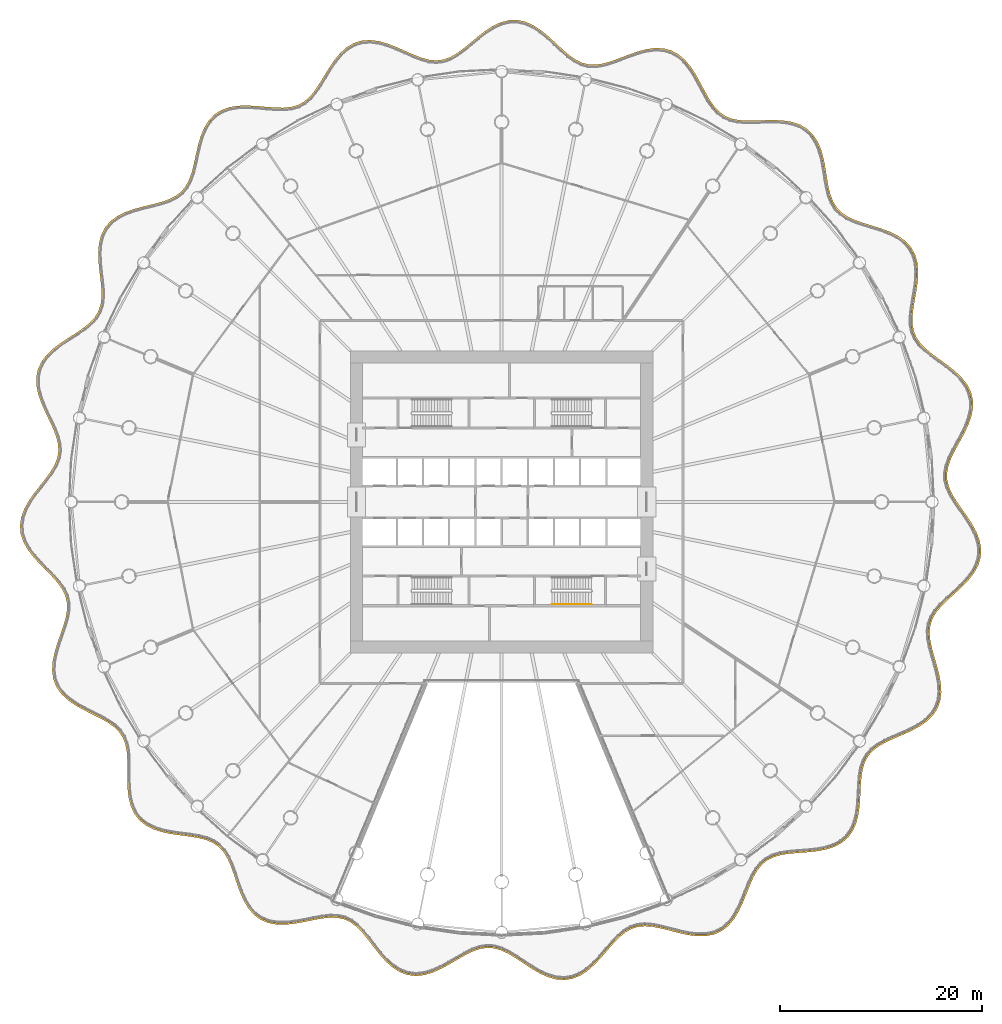
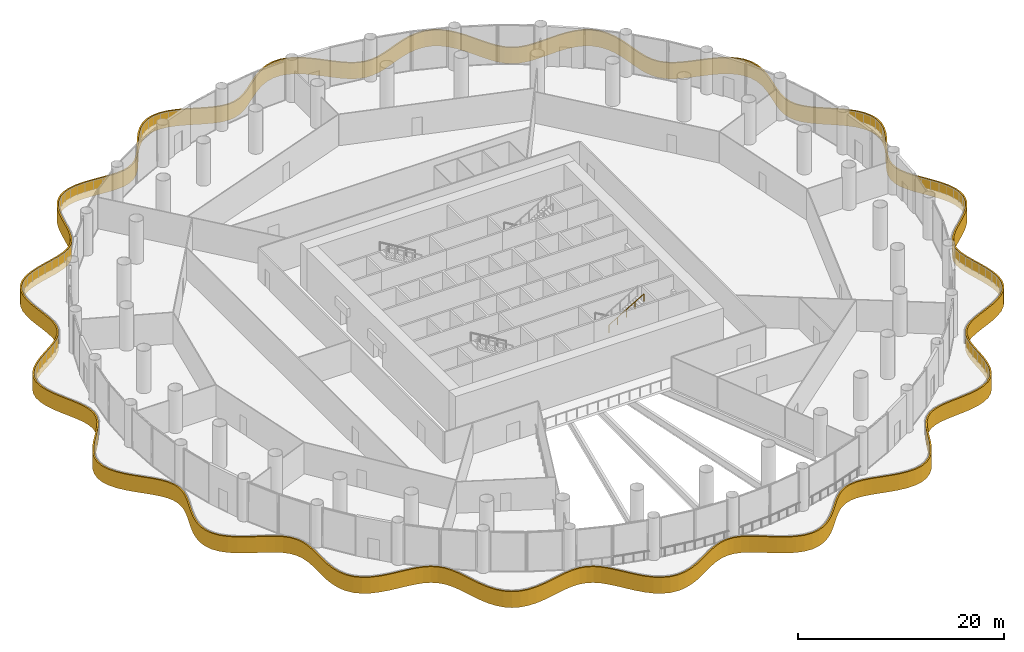
# One storey, part 32 of 36: 1 covering, 1 railing.
"""IFC4 building model written with IfcOpenShell, lengths in metres."""

from ifc_helpers import new_model, si_unit, direction, frame, origin, origin_2d, place, context, subcontext, project, spatial, polyline, circle, outline, extrude, material, layer, layer_set, type_object, element, save


model = new_model("IFC4")

# Units and contexts
model_context = context("Model", 3, precision=1e-05, world=origin(), true_north=direction((0.0, 1.0)))
body_context = subcontext(model_context, "Body", "Model", "MODEL_VIEW")
ifc_project = project(units=[si_unit("LENGTHUNIT", "METRE"), si_unit("AREAUNIT", "SQUARE_METRE"), si_unit("VOLUMEUNIT", "CUBIC_METRE"), si_unit("PLANEANGLEUNIT", "RADIAN"), si_unit("MASSUNIT", "GRAM", prefix="KILO")], contexts=[model_context])

# Site, building, storey
site_placement = place(None, origin())
site = spatial("IfcSite", under=ifc_project, at=site_placement, CompositionType="ELEMENT")
building_placement = place(site_placement, origin())
building = spatial("IfcBuilding", under=site, at=building_placement, Name="Corvane Civic Tower", CompositionType="ELEMENT")
storey_placement = place(building_placement, frame((0.0, 0.0, 17.0)))
storey = spatial("IfcBuildingStorey", under=building, at=storey_placement, Name="L03", CompositionType="ELEMENT", Elevation=17.0)

# Covering
ifc_material_1 = material(Name="Anodised aluminium rose bronze", Category="aluminium")
ifc_layer = layer(ifc_material_1, 0.159912109375)
ifc_layer_set = layer_set([ifc_layer], Name="Anodised aluminium rose bronze")
covering_type = type_object("IfcCoveringType", Name="PODIUM-COV-FASCIA-L03", PredefinedType="CLADDING", material=ifc_layer_set)
covering_placement = place(storey_placement, frame((0.0, 0.0, -0.800048828125)))
element("IfcCovering", 1, at=covering_placement, inside=storey, type_object=covering_type, Name="L03 ribbon fascia", PredefinedType="CLADDING", context=body_context, shape_type="SweptSolid", body=[
    extrude(outline(polyline([(0.7587890625, 47.812744140625), (-0.053466796875, 47.6103515625), (-0.847900390625, 47.2431640625), (-1.618408203125, 46.748779296875), (-2.3623046875, 46.175048828125), (-3.0810546875, 45.57470703125), (-3.777587890625, 45.00146484375), (-4.456787109375, 44.50634765625), (-5.126220703125, 44.12890625), (-5.794921875, 43.894775390625), (-6.477294921875, 43.812255859375), (-7.18994140625, 43.87890625), (-7.943115234375, 44.079345703125), (-8.738037109375, 44.38525390625), (-9.5693359375, 44.753662109375), (-10.427978515625, 45.13427734375), (-11.301513671875, 45.47412109375), (-12.1767578125, 45.722412109375), (-13.0380859375, 45.8359375), (-13.86865234375, 45.781494140625), (-14.650390625, 45.542236328125), (-15.367431640625, 45.122802734375), (-16.014404296875, 44.54638671875), (-16.59521484375, 43.8486328125), (-17.121826171875, 43.07421875), (-17.612060546875, 42.272216796875), (-18.085205078125, 41.493408203125), (-18.563720703125, 40.7841796875), (-19.06640625, 40.18359375), (-19.611572265625, 39.715576171875), (-20.2158203125, 39.386962890625), (-20.89453125, 39.19189453125), (-21.6552734375, 39.115234375), (-22.4921875, 39.131103515625), (-23.38818359375, 39.203125), (-24.320068359375, 39.287841796875), (-25.2587890625, 39.33837890625), (-26.17578125, 39.31103515625), (-27.041259765625, 39.1669921875), (-27.828857421875, 38.878662109375), (-28.5146484375, 38.431884765625), (-29.082275390625, 37.83203125), (-29.530517578125, 37.100830078125), (-29.872802734375, 36.26904296875), (-30.13330078125, 35.37353515625), (-30.342529296875, 34.45556640625), (-30.5361328125, 33.555908203125), (-30.74951171875, 32.713623046875), (-31.015380859375, 31.96044921875), (-31.360107421875, 31.316650390625), (-31.802490234375, 30.78662109375), (-32.3564453125, 30.361572265625), (-33.02734375, 30.025390625), (-33.80419921875, 29.7578125), (-34.662353515625, 29.530517578125), (-35.56640625, 29.31103515625), (-36.475341796875, 29.06396484375), (-37.3466796875, 28.756591796875), (-38.14013671875, 28.361328125), (-38.8193359375, 27.85693359375), (-39.35546875, 27.236083984375), (-39.73193359375, 26.50537109375), (-39.949951171875, 25.68408203125), (-40.02880859375, 24.796875), (-40.001708984375, 23.8701171875), (-39.909423828125, 22.9326171875), (-39.798583984375, 22.011962890625), (-39.71533203125, 21.134033203125), (-39.702880859375, 20.320068359375), (-39.79443359375, 19.58251953125), (-40.0126953125, 18.92236328125), (-40.36865234375, 18.32861328125), (-40.865478515625, 17.784423828125), (-41.48974609375, 17.27392578125), (-42.212158203125, 16.77978515625), (-42.990478515625, 16.281494140625), (-43.77490234375, 15.760009765625), (-44.51513671875, 15.197265625), (-45.162109375, 14.57861328125), (-45.673828125, 13.895263671875), (-46.017822265625, 13.146728515625), (-46.17578125, 12.343017578125), (-46.151611328125, 11.501220703125), (-45.96728515625, 10.638671875), (-45.660888671875, 9.7705078125), (-45.27880859375, 8.91015625), (-44.872802734375, 8.0703125), (-44.49658203125, 7.259521484375), (-44.198486328125, 6.4853515625), (-44.017578125, 5.750244140625), (-43.977783203125, 5.04931640625), (-44.089599609375, 4.36962890625), (-44.352294921875, 3.694580078125), (-44.751708984375, 3.01171875), (-45.25732421875, 2.313720703125), (-45.824951171875, 1.5947265625), (-46.40283203125, 0.852294921875), (-46.93603515625, 0.084716796875), (-47.373291015625, -0.7060546875), (-47.669921875, -1.515625), (-47.7919921875, -2.3349609375), (-47.72119140625, -3.149658203125), (-47.4619140625, -3.94384765625), (-47.0380859375, -4.707275390625), (-46.487060546875, -5.435791015625), (-45.856689453125, -6.131591796875), (-45.19873046875, -6.7998046875), (-44.5673828125, -7.447021484375), (-44.0126953125, -8.08349609375), (-43.574462890625, -8.718994140625), (-43.277587890625, -9.365234375), (-43.13134765625, -10.036865234375), (-43.131103515625, -10.75), (-43.262939453125, -11.514404296875), (-43.49755859375, -12.329345703125), (-43.794189453125, -13.1865234375), (-44.103515625, -14.072509765625), (-44.373291015625, -14.970947265625), (-44.5546875, -15.864501953125), (-44.6044921875, -16.73388671875), (-44.49072265625, -17.559814453125), (-44.197509765625, -18.322998046875), (-43.72900390625, -19.007568359375), (-43.10791015625, -19.608642578125), (-42.36962890625, -20.133544921875), (-41.55712890625, -20.597412109375), (-40.717529296875, -21.02099609375), (-39.8994140625, -21.428466796875), (-39.14892578125, -21.84521484375), (-38.502685546875, -22.294677734375), (-37.98388671875, -22.796142578125), (-37.599853515625, -23.3671875), (-37.3427734375, -24.022705078125), (-37.1982421875, -24.76953125), (-37.14111328125, -25.600830078125), (-37.137451171875, -26.497314453125), (-37.1455078125, -27.431640625), (-37.12109375, -28.372314453125), (-37.02294921875, -29.28564453125), (-36.814697265625, -30.140625), (-36.4697265625, -30.906982421875), (-35.97607421875, -31.559814453125), (-35.33837890625, -32.0830078125), (-34.578369140625, -32.476318359375), (-33.72509765625, -32.75390625), (-32.8134765625, -32.943359375), (-31.881103515625, -33.077880859375), (-30.966552734375, -33.1962890625), (-30.105712890625, -33.337158203125), (-29.328369140625, -33.536376953125), (-28.652587890625, -33.8212890625), (-28.08251953125, -34.21240234375), (-27.6083984375, -34.722900390625), (-27.21435546875, -35.357177734375), (-26.881103515625, -36.10400390625), (-26.58251953125, -36.937255859375), (-26.28955078125, -37.818603515625), (-25.970703125, -38.705078125), (-25.59619140625, -39.551513671875), (-25.141357421875, -40.314697265625), (-24.588134765625, -40.957275390625), (-23.9306640625, -41.448974609375), (-23.17578125, -41.772705078125), (-22.343017578125, -41.930419921875), (-21.45458984375, -41.942626953125), (-20.5341796875, -41.84375), (-19.607177734375, -41.677001953125), (-18.697021484375, -41.489990234375), (-17.826416015625, -41.33154296875), (-17.01318359375, -41.246826171875), (-16.2666015625, -41.27099609375), (-15.587646484375, -41.426513671875), (-14.9638671875, -41.724609375), (-14.37890625, -42.167236328125), (-13.818115234375, -42.7412109375), (-13.265380859375, -43.416259765625), (-12.705810546875, -44.148681640625), (-12.123291015625, -44.888671875), (-11.50341796875, -45.583740234375), (-10.836181640625, -46.18359375), (-10.115478515625, -46.6455078125), (-9.34375, -46.936279296875), (-8.531494140625, -47.03759765625), (-7.695068359375, -46.952880859375), (-6.8505859375, -46.705810546875), (-6.010498046875, -46.333984375), (-5.183837890625, -45.884521484375), (-4.378662109375, -45.41064453125), (-3.600341796875, -44.9658203125), (-2.85205078125, -44.599609375), (-2.1328125, -44.351318359375), (-1.4365234375, -44.245849609375), (-0.75, -44.293212890625), (-0.056396484375, -44.4912109375), (0.65576171875, -44.82666015625), (1.39208984375, -45.268310546875), (2.154296875, -45.772705078125), (2.940673828125, -46.2880859375), (3.748779296875, -46.760009765625), (4.572021484375, -47.136962890625), (5.4033203125, -47.3740234375), (6.230712890625, -47.4375), (7.0380859375, -47.310302734375), (7.810302734375, -46.99560546875), (8.538330078125, -46.517578125), (9.22119140625, -45.913818359375), (9.86474609375, -45.23095703125), (10.477294921875, -44.52001953125), (11.071044921875, -43.83447265625), (11.659423828125, -43.22412109375), (12.255859375, -42.727783203125), (12.873779296875, -42.371337890625), (13.528564453125, -42.162109375), (14.236083984375, -42.095947265625), (15.005615234375, -42.15771484375), (15.834228515625, -42.3203125), (16.710693359375, -42.543212890625), (17.617919921875, -42.77880859375), (18.535888671875, -42.97705078125), (19.442626953125, -43.089599609375), (20.3154296875, -43.0751953125), (21.1328125, -42.902587890625), (21.87353515625, -42.556396484375), (22.522216796875, -42.041259765625), (23.074951171875, -41.379638671875), (23.541259765625, -40.605712890625), (23.939208984375, -39.760009765625), (24.293701171875, -38.88818359375), (24.63232421875, -38.037109375), (24.984130859375, -37.250244140625), (25.3759765625, -36.56298828125), (25.8291015625, -35.997802734375), (26.36181640625, -35.561279296875), (26.988525390625, -35.2451171875), (27.7158203125, -35.0341796875), (28.53515625, -34.9052734375), (29.42529296875, -34.825927734375), (30.35595703125, -34.75732421875), (31.2919921875, -34.658203125), (32.197021484375, -34.489501953125), (33.0361328125, -34.2177734375), (33.77734375, -33.81787109375), (34.394287109375, -33.279296875), (34.87060546875, -32.607177734375), (35.206787109375, -31.822265625), (35.418701171875, -30.952392578125), (35.536376953125, -30.0302734375), (35.59521484375, -29.090087890625), (35.637451171875, -28.1669921875), (35.70458984375, -27.294189453125), (35.83447265625, -26.498291015625), (36.05712890625, -25.796142578125), (36.393310546875, -25.190673828125), (36.856201171875, -24.671875), (37.44921875, -24.2236328125), (38.160400390625, -23.827392578125), (38.962158203125, -23.460693359375), (39.81494140625, -23.096435546875), (40.673095703125, -22.70751953125), (41.489013671875, -22.267578125), (42.218017578125, -21.755615234375), (42.8203125, -21.156005859375), (43.264892578125, -20.46484375), (43.53466796875, -19.68994140625), (43.631591796875, -18.849853515625), (43.57763671875, -17.965087890625), (43.407958984375, -17.056640625), (43.167236328125, -16.14599609375), (42.905517578125, -15.253173828125), (42.673095703125, -14.396484375), (42.5166015625, -13.589599609375), (42.47216796875, -12.8408203125), (42.563232421875, -12.148193359375), (42.801025390625, -11.500244140625), (43.186279296875, -10.8798828125), (43.705810546875, -10.273193359375), (44.32861328125, -9.6669921875), (45.0107421875, -9.049560546875), (45.701171875, -8.4091796875), (46.34619140625, -7.736328125), (46.8955078125, -7.023681640625), (47.3046875, -6.27001953125), (47.540283203125, -5.478271484375), (47.584228515625, -4.661376953125), (47.440185546875, -3.8349609375), (47.132080078125, -3.01318359375), (46.697509765625, -2.20556640625), (46.18408203125, -1.417724609375), (45.64501953125, -0.6533203125), (45.134521484375, 0.0869140625), (44.702392578125, 0.8037109375), (44.388671875, 1.500732421875), (44.218017578125, 2.186279296875), (44.200439453125, 2.87353515625), (44.333251953125, 3.579833984375), (44.601806640625, 4.315673828125), (44.976806640625, 5.084228515625), (45.414794921875, 5.8837890625), (45.8642578125, 6.708984375), (46.271484375, 7.552490234375), (46.58544921875, 8.404296875), (46.76123046875, 9.252685546875), (46.76611328125, 10.083740234375), (46.58203125, 10.88037109375), (46.214111328125, 11.626708984375), (45.685302734375, 12.31591796875), (45.032470703125, 12.949462890625), (44.301513671875, 13.536376953125), (43.54248046875, 14.089599609375), (42.8076171875, 14.625), (42.1455078125, 15.160400390625), (41.59521484375, 15.712646484375), (41.18115234375, 16.296630859375), (40.911376953125, 16.92919921875), (40.780029296875, 17.625), (40.772216796875, 18.393310546875), (40.861083984375, 19.229248046875), (41.00927734375, 20.118896484375), (41.169921875, 21.04150390625), (41.294921875, 21.972900390625), (41.337646484375, 22.88720703125), (41.258544921875, 23.759033203125), (41.027587890625, 24.563720703125), (40.630126953125, 25.278564453125), (40.0712890625, 25.88818359375), (39.372802734375, 26.3896484375), (38.5673828125, 26.795166015625), (37.694091796875, 27.125), (36.79638671875, 27.40771484375), (35.91796875, 27.6748046875), (35.100341796875, 27.958984375), (34.37744140625, 28.289306640625), (33.770751953125, 28.690185546875), (33.284912109375, 29.1796875), (32.912841796875, 29.772705078125), (32.637939453125, 30.474609375), (32.438720703125, 31.275634765625), (32.284423828125, 32.153076171875), (32.139892578125, 33.073486328125), (31.96630859375, 33.9990234375), (31.727783203125, 34.889892578125), (31.393310546875, 35.70849609375), (30.9404296875, 36.420654296875), (30.359375, 36.998779296875), (29.65625, 37.42578125), (28.850830078125, 37.70361328125), (27.969970703125, 37.849365234375), (27.04248046875, 37.894287109375), (26.1005859375, 37.877685546875), (25.175537109375, 37.84326171875), (24.296875, 37.835205078125), (23.48876953125, 37.89453125), (22.76611328125, 38.052734375), (22.130615234375, 38.3310546875), (21.57177734375, 38.7421875), (21.073486328125, 39.289306640625), (20.617919921875, 39.95947265625), (20.185546875, 40.72412109375), (19.7529296875, 41.542724609375), (19.29638671875, 42.366943359375), (18.793701171875, 43.1474609375), (18.226806640625, 43.83740234375), (17.583984375, 44.39599609375), (16.8623046875, 44.791259765625), (16.071044921875, 45.005615234375), (15.227783203125, 45.041748046875), (14.3515625, 44.92236328125), (13.460693359375, 44.68310546875), (12.572509765625, 44.370849609375), (11.703125, 44.035888671875), (10.8662109375, 43.730712890625), (10.07275390625, 43.502685546875), (9.32763671875, 43.3896484375), (8.6279296875, 43.41552734375), (7.9609375, 43.59130859375), (7.310791015625, 43.91650390625), (6.662841796875, 44.377197265625), (6.008056640625, 44.943359375), (5.337646484375, 45.570556640625), (4.643798828125, 46.206787109375), (3.92138671875, 46.7978515625), (3.16796875, 47.292724609375), (2.384033203125, 47.646728515625), (1.57666015625, 47.826171875), (0.7587890625, 47.812744140625)]), holes=[polyline([(-0.770751953125, 47.1025390625), (0.0, 47.458740234375), (0.77978515625, 47.653076171875), (1.560302734375, 47.665771484375), (2.333251953125, 47.494140625), (3.090576171875, 47.152099609375), (3.82666015625, 46.668701171875), (4.5390625, 46.085693359375), (5.22900390625, 45.453125), (5.901123046875, 44.824462890625), (6.56396484375, 44.251220703125), (7.22802734375, 43.77880859375), (7.904296875, 43.440673828125), (8.604248046875, 43.25634765625), (9.336669921875, 43.229248046875), (10.10693359375, 43.345947265625), (10.915771484375, 43.578369140625), (11.75927734375, 43.885986328125), (12.6279296875, 44.220703125), (13.508056640625, 44.5302734375), (14.38330078125, 44.76513671875), (15.235107421875, 44.88134765625), (16.04638671875, 44.846435546875), (16.802001953125, 44.641845703125), (17.491943359375, 44.263916015625), (18.111572265625, 43.725341796875), (18.6640625, 43.052978515625), (19.158935546875, 42.28466796875), (19.6123046875, 41.466552734375), (20.045166015625, 40.6474609375), (20.48193359375, 39.875), (20.947509765625, 39.18994140625), (21.464111328125, 38.622802734375), (22.050048828125, 38.191650390625), (22.71630859375, 37.89990234375), (23.465576171875, 37.73583984375), (24.291748046875, 37.67529296875), (25.17919921875, 37.683349609375), (26.10498046875, 37.7177734375), (27.0400390625, 37.734375), (27.952880859375, 37.68994140625), (28.8115234375, 37.5478515625), (29.587890625, 37.2802734375), (30.260009765625, 36.871826171875), (30.81494140625, 36.31982421875), (31.250732421875, 35.634765625), (31.575927734375, 34.8388671875), (31.810302734375, 33.963623046875), (31.982177734375, 33.04638671875), (32.126708984375, 32.126708984375), (32.281982421875, 31.242431640625), (32.485107421875, 30.42578125), (32.769287109375, 29.700439453125), (33.158935546875, 29.07958984375), (33.668701171875, 28.565673828125), (34.299560546875, 28.14892578125), (35.040771484375, 27.810302734375), (35.868408203125, 27.522705078125), (36.7490234375, 27.2548828125), (37.641845703125, 26.973876953125), (38.5029296875, 26.6484375), (39.289794921875, 26.25244140625), (39.964599609375, 25.767822265625), (40.49951171875, 25.184326171875), (40.87890625, 24.501953125), (41.1005859375, 23.7294921875), (41.17724609375, 22.8837890625), (41.13525390625, 21.9873046875), (41.01171875, 21.06591796875), (40.8515625, 20.145751953125), (40.70263671875, 19.2509765625), (40.612060546875, 18.401123046875), (40.6201171875, 17.609375), (40.75732421875, 16.88232421875), (41.040771484375, 16.218017578125), (41.472412109375, 15.609130859375), (42.038330078125, 15.04150390625), (42.710205078125, 14.498046875), (43.4482421875, 13.960205078125), (44.2041015625, 13.4091796875), (44.926513671875, 12.829345703125), (45.5654296875, 12.209228515625), (46.07763671875, 11.541748046875), (46.430419921875, 10.826171875), (46.60595703125, 10.06591796875), (46.601318359375, 9.26953125), (46.43115234375, 8.448486328125), (46.1240234375, 7.615234375), (45.721923828125, 6.7822265625), (45.2744140625, 5.96044921875), (44.834716796875, 5.15771484375), (44.454345703125, 4.37841796875), (44.178466796875, 3.622314453125), (44.0400390625, 2.886474609375), (44.05859375, 2.16455078125), (44.23681640625, 1.4482421875), (44.560302734375, 0.729248046875), (45.0, 0.0), (45.513916015625, -0.744873046875), (46.0517578125, -1.507568359375), (46.559814453125, -2.287353515625), (46.986083984375, -3.07958984375), (47.28515625, -3.877197265625), (47.423583984375, -4.6708984375), (47.381591796875, -5.45068359375), (47.156005859375, -6.208251953125), (46.760986328125, -6.936279296875), (46.224853515625, -7.6318359375), (45.5888671875, -8.295166015625), (44.902587890625, -8.931640625), (44.218994140625, -9.55029296875), (43.5888671875, -10.16357421875), (43.056884765625, -10.78515625), (42.656494140625, -11.4296875), (42.406982421875, -12.10986328125), (42.3115234375, -12.8349609375), (42.357421875, -13.609619140625), (42.51708984375, -14.4326171875), (42.75146484375, -15.296630859375), (43.01318359375, -16.18896484375), (43.251708984375, -17.091796875), (43.41845703125, -17.984619140625), (43.470947265625, -18.845458984375), (43.377685546875, -19.654052734375), (43.1201171875, -20.394287109375), (42.695068359375, -21.054931640625), (42.11474609375, -21.632568359375), (41.40478515625, -22.13134765625), (40.60205078125, -22.56396484375), (39.75048828125, -22.949951171875), (38.8974609375, -23.314208984375), (38.088134765625, -23.6845703125), (37.361572265625, -24.08935546875), (36.747314453125, -24.5537109375), (36.26220703125, -25.097412109375), (35.909423828125, -25.732421875), (35.678466796875, -26.4609375), (35.545654296875, -27.275146484375), (35.477783203125, -28.1572265625), (35.435546875, -29.081298828125), (35.376953125, -30.01513671875), (35.26123046875, -30.92333984375), (35.054443359375, -31.771484375), (34.730224609375, -32.528564453125), (34.27490234375, -33.171142578125), (33.685546875, -33.685546875), (32.972900390625, -34.070068359375), (32.157470703125, -34.334228515625), (31.268798828125, -34.499755859375), (30.341552734375, -34.597900390625), (29.412353515625, -34.66650390625), (28.515625, -34.746337890625), (27.680908203125, -34.877685546875), (26.9296875, -35.095703125), (26.27392578125, -35.42626953125), (25.714599609375, -35.884765625), (25.2431640625, -36.47265625), (24.84130859375, -37.177734375), (24.48486328125, -37.974853515625), (24.145263671875, -38.82861328125), (23.792724609375, -39.69580078125), (23.39990234375, -40.530029296875), (22.9443359375, -41.28662109375), (22.409912109375, -41.926025390625), (21.788818359375, -42.41943359375), (21.081787109375, -42.749755859375), (20.29736328125, -42.91552734375), (19.451171875, -42.929443359375), (18.562744140625, -42.819091796875), (17.655029296875, -42.623046875), (16.75048828125, -42.38818359375), (15.869384765625, -42.1640625), (15.027587890625, -41.9990234375), (14.235107421875, -41.935302734375), (13.496337890625, -42.00439453125), (12.80859375, -42.22412109375), (12.1640625, -42.59619140625), (11.55029296875, -43.106689453125), (10.952880859375, -43.7265625), (10.356201171875, -44.415283203125), (9.745849609375, -45.123779296875), (9.10986328125, -45.798828125), (8.44091796875, -46.39013671875), (7.735595703125, -46.853271484375), (6.994873046875, -47.155029296875), (6.22412109375, -47.276611328125), (5.431640625, -47.2158203125), (4.627685546875, -46.986328125), (3.822509765625, -46.617919921875), (3.02490234375, -46.152099609375), (2.2421875, -45.63916015625), (1.4775390625, -45.133056640625), (0.731201171875, -44.685302734375), (0.0, -44.341064453125), (-0.72216796875, -44.134765625), (-1.443115234375, -44.0849609375), (-2.171142578125, -44.1953125), (-2.91357421875, -44.451416015625), (-3.67529296875, -44.82421875), (-4.458984375, -45.272216796875), (-5.2626953125, -45.745361328125), (-6.0810546875, -46.190185546875), (-6.90576171875, -46.55517578125), (-7.725830078125, -46.795166015625), (-8.529541015625, -46.87646484375), (-9.30517578125, -46.77978515625), (-10.04345703125, -46.501708984375), (-10.73876953125, -46.055908203125), (-11.389892578125, -45.470703125), (-12.00048828125, -44.785888671875), (-12.579345703125, -44.05078125), (-13.139892578125, -43.31689453125), (-13.69873046875, -42.63427734375), (-14.27294921875, -42.046875), (-14.880126953125, -41.587158203125), (-15.53466796875, -41.2744140625), (-16.24609375, -41.111572265625), (-17.018798828125, -41.086669921875), (-17.84912109375, -41.173095703125), (-18.7275390625, -41.332763671875), (-19.637451171875, -41.519775390625), (-20.556884765625, -41.685302734375), (-21.4619140625, -41.782470703125), (-22.326904296875, -41.7705078125), (-23.12890625, -41.61865234375), (-23.85009765625, -41.309326171875), (-24.478271484375, -40.839599609375), (-25.010986328125, -40.220947265625), (-25.453857421875, -39.477783203125), (-25.822021484375, -38.6455078125), (-26.138427734375, -37.766357421875), (-26.431396484375, -36.885009765625), (-26.732421875, -36.04443359375), (-27.07275390625, -35.281982421875), (-27.480712890625, -34.625244140625), (-27.977294921875, -34.090576171875), (-28.575439453125, -33.68017578125), (-29.277099609375, -33.38427734375), (-30.072998046875, -33.180419921875), (-30.943359375, -33.0380859375), (-31.859375, -32.91943359375), (-32.78564453125, -32.78564453125), (-33.683837890625, -32.59912109375), (-34.516357421875, -32.328125), (-35.25, -31.94873046875), (-35.85986328125, -31.4482421875), (-36.331298828125, -30.824951171875), (-36.662841796875, -30.08837890625), (-36.864990234375, -29.258056640625), (-36.96142578125, -28.361572265625), (-36.9853515625, -27.43017578125), (-36.9775390625, -26.49755859375), (-36.981201171875, -25.594970703125), (-37.039306640625, -24.748779296875), (-37.1884765625, -23.977783203125), (-37.457275390625, -23.29248046875), (-37.860595703125, -22.69287109375), (-38.400634765625, -22.170654296875), (-39.064208984375, -21.709228515625), (-39.824951171875, -21.286865234375), (-40.645751953125, -20.8779296875), (-41.4814453125, -20.456298828125), (-42.283447265625, -19.99853515625), (-43.00537109375, -19.4853515625), (-43.60595703125, -18.90380859375), (-44.054931640625, -18.248046875), (-44.334716796875, -17.519775390625), (-44.44384765625, -16.7275390625), (-44.3955078125, -15.885009765625), (-44.218017578125, -15.010009765625), (-43.951171875, -14.121826171875), (-43.64306640625, -13.239013671875), (-43.344970703125, -12.377685546875), (-43.106689453125, -11.55029296875), (-42.97119140625, -10.763671875), (-42.971435546875, -10.01953125), (-43.125, -9.314208984375), (-43.434814453125, -8.6396484375), (-43.885986328125, -7.9853515625), (-44.44970703125, -7.338623046875), (-45.08447265625, -6.687744140625), (-45.740234375, -6.021728515625), (-46.36376953125, -5.333740234375), (-46.903564453125, -4.61962890625), (-47.314697265625, -3.879638671875), (-47.5634765625, -3.117431640625), (-47.630859375, -2.33984375), (-47.51416015625, -1.555419921875), (-47.227294921875, -0.772705078125), (-46.800048828125, 0.0), (-46.27392578125, 0.75732421875), (-45.698974609375, 1.49609375), (-45.129638671875, 2.217041015625), (-44.617431640625, 2.92431640625), (-44.207763671875, 3.624755859375), (-43.934326171875, 4.3271484375), (-43.817138671875, 5.040771484375), (-43.858642578125, 5.774169921875), (-44.04541015625, 6.533447265625), (-44.34912109375, 7.322021484375), (-44.728271484375, 8.138671875), (-45.133544921875, 8.9775390625), (-45.51220703125, 9.82958984375), (-45.81298828125, 10.68212890625), (-45.991943359375, 11.520263671875), (-46.015380859375, 12.329833984375), (-45.864501953125, 13.09716796875), (-45.53564453125, 13.81298828125), (-45.0419921875, 14.47216796875), (-44.4111328125, 15.075439453125), (-43.68212890625, 15.629638671875), (-42.903076171875, 16.1474609375), (-42.123779296875, 16.646240234375), (-41.393798828125, 17.145751953125), (-40.755126953125, 17.66796875), (-40.23974609375, 18.232421875), (-39.8662109375, 18.855224609375), (-39.6376953125, 19.547119140625), (-39.542724609375, 20.311279296875), (-39.555419921875, 21.142822265625), (-39.639404296875, 22.029052734375), (-39.75048828125, 22.949951171875), (-39.842041015625, 23.88037109375), (-39.86865234375, 24.7919921875), (-39.791748046875, 25.65625), (-39.581787109375, 26.447509765625), (-39.221923828125, 27.14599609375), (-38.709716796875, 27.739013671875), (-38.05615234375, 28.224365234375), (-37.2841796875, 28.609130859375), (-36.427734375, 28.9111328125), (-35.526611328125, 29.156005859375), (-34.623046875, 29.37548828125), (-33.757568359375, 29.6044921875), (-32.965087890625, 29.877685546875), (-32.271240234375, 30.225341796875), (-31.69091796875, 30.67041015625), (-31.226806640625, 31.226806640625), (-30.86865234375, 31.895751953125), (-30.59619140625, 32.667236328125), (-30.38037109375, 33.51953125), (-30.186279296875, 34.4208984375), (-29.978271484375, 35.33349609375), (-29.7216796875, 36.216064453125), (-29.387451171875, 37.028076171875), (-28.95458984375, 37.734130859375), (-28.411376953125, 38.30810546875), (-27.7568359375, 38.734619140625), (-27.000244140625, 39.01171875), (-26.16015625, 39.1513671875), (-25.2607421875, 39.17822265625), (-24.33154296875, 39.128173828125), (-23.40185546875, 39.043701171875), (-22.5, 38.97119140625), (-21.648681640625, 38.955078125), (-20.8642578125, 39.0341796875), (-20.15478515625, 39.238037109375), (-19.520263671875, 39.5830078125), (-18.9521484375, 40.07080078125), (-18.435546875, 40.687744140625), (-17.950439453125, 41.406982421875), (-17.475341796875, 42.18896484375), (-16.9873046875, 42.987548828125), (-16.46728515625, 43.752197265625), (-15.89892578125, 44.434814453125), (-15.27294921875, 44.99267578125), (-14.585693359375, 45.394775390625), (-13.839599609375, 45.623046875), (-13.043212890625, 45.67529296875), (-12.209228515625, 45.5654296875), (-11.3525390625, 45.322265625), (-10.489501953125, 44.986572265625), (-9.63427734375, 44.607421875), (-8.79931640625, 44.2373046875), (-7.99267578125, 43.927001953125), (-7.21826171875, 43.720703125), (-6.47509765625, 43.6513671875), (-5.75830078125, 43.738037109375), (-5.059814453125, 43.982666015625), (-4.3701171875, 44.37158203125), (-3.679443359375, 44.875), (-2.97900390625, 45.451416015625), (-2.26220703125, 46.05029296875), (-1.526123046875, 46.617919921875), (-0.770751953125, 47.1025390625)])]), origin(), (0.0, 0.0, 1.0), 1.900146484375),
])

# Railing
ifc_material_2 = material(Name="Steel ASTM A572 Gr 50", Category="steel")
railing_type = type_object("IfcRailingType", Name="ST-HANDRAIL-900", PredefinedType="HANDRAIL", material=ifc_material_2)
railing_placement = place(storey_placement, frame((4.97998046875, -10.14990234375, 2.666748046875)))
element("IfcRailing", 2, at=railing_placement, inside=storey, type_object=railing_type, Name="L03 ST2 stair handrail 2", PredefinedType="HANDRAIL", context=body_context, shape_type="SweptSolid", body=[
    extrude(circle(Radius=0.02392578125, at=origin_2d()), frame((0.0, 0.0, 0.8759765625), z_axis=(0.859296244711, 0.0, 0.511478214419), x_axis=(0.0, 1.0, 0.0)), (0.0, 0.0, 1.0), 4.561767578125),
    extrude(circle(Radius=0.02099609375, at=origin_2d()), origin(), (0.0, 0.0, 1.0), 0.851806640625),
    extrude(circle(Radius=0.02099609375, at=origin_2d()), frame((0.97998046875, 0.0, 0.583251953125)), (0.0, 0.0, 1.0), 0.851806640625),
    extrude(circle(Radius=0.02099609375, at=origin_2d()), frame((1.9599609375, 0.0, 1.16650390625)), (0.0, 0.0, 1.0), 0.851806640625),
    extrude(circle(Radius=0.02099609375, at=origin_2d()), frame((2.93994140625, 0.0, 1.75)), (0.0, 0.0, 1.0), 0.851806640625),
    extrude(circle(Radius=0.02099609375, at=origin_2d()), frame((3.919921875, 0.0, 2.333251953125)), (0.0, 0.0, 1.0), 0.851806640625),
])

save(model, "model.ifc")
